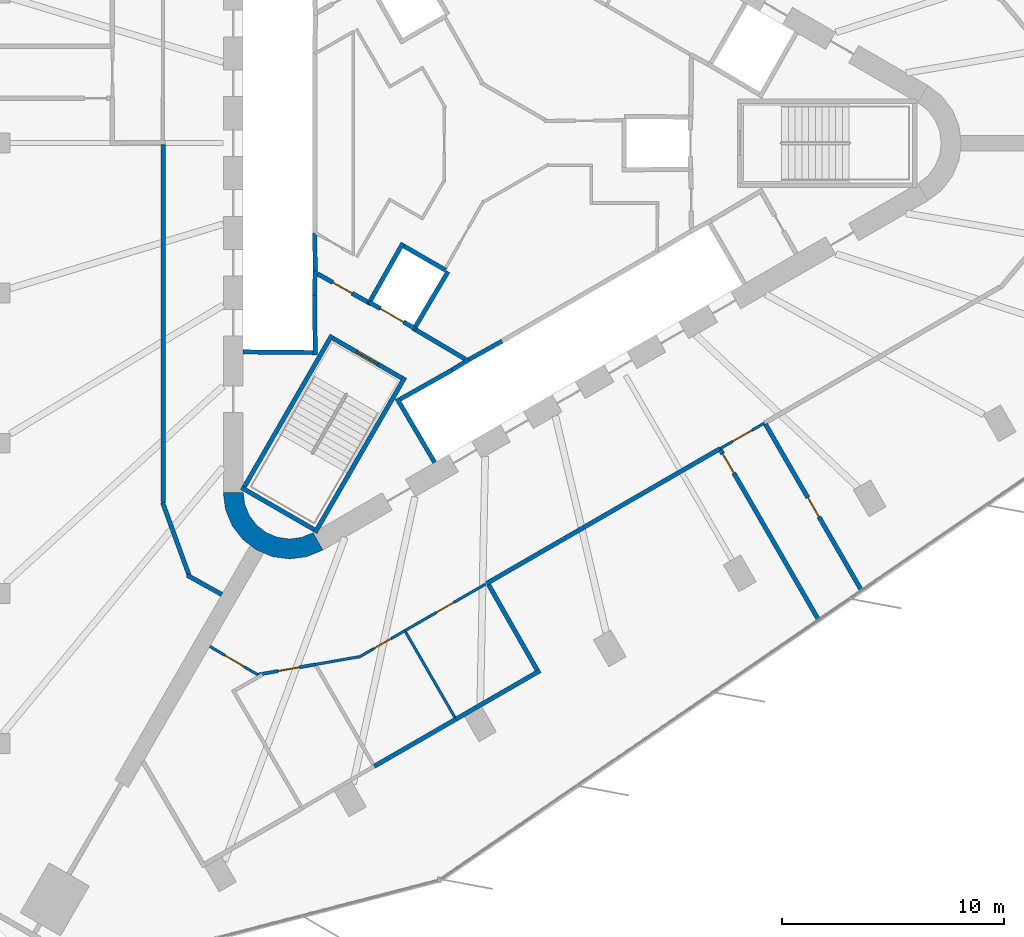
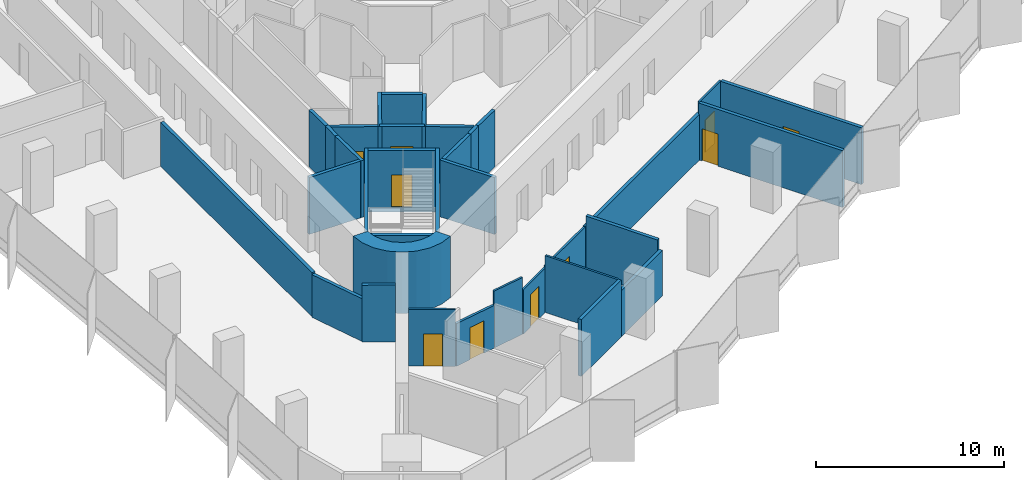
# One storey, part 8 of 13: 35 walls, 10 doors, 10 openings.
"""IFC4 building model written with IfcOpenShell, lengths in metres."""

from ifc_helpers import new_model, si_unit, direction, frame, frame_2d, origin, place, context, subcontext, project, spatial, polyline, rectangle, outline, extrude, material, layer, layer_set, type_object, element, fill, save


model = new_model("IFC4")

# Units and contexts
model_context = context("Model", 3, precision=1e-05, world=origin(), true_north=direction((0.0, 1.0)))
body_context = subcontext(model_context, "Body", "Model", "MODEL_VIEW")
ifc_project = project(units=[si_unit("LENGTHUNIT", "METRE"), si_unit("AREAUNIT", "SQUARE_METRE"), si_unit("VOLUMEUNIT", "CUBIC_METRE"), si_unit("PLANEANGLEUNIT", "RADIAN"), si_unit("MASSUNIT", "GRAM", prefix="KILO")], contexts=[model_context])

# Site, building, storey
site_placement = place(None, origin())
site = spatial("IfcSite", under=ifc_project, at=site_placement, CompositionType="ELEMENT")
building_placement = place(site_placement, origin())
building = spatial("IfcBuilding", under=site, at=building_placement, Name="Tanit Gate Tower", CompositionType="ELEMENT")
storey_placement = place(building_placement, frame((0.0, 0.0, 189.199951171875)))
storey = spatial("IfcBuildingStorey", under=building, at=storey_placement, Name="L41", CompositionType="ELEMENT", Elevation=189.199951171875)

# Walls
ifc_material_1 = material(Name="Concrete C50/60", Category="concrete")
ifc_layer_1 = layer(ifc_material_1, 0.89990234375)
ifc_layer_set_1 = layer_set([ifc_layer_1], Name="CORE WALL 900 C50/60")
wall_type_1 = type_object("IfcWallType", Name="CORE WALL 900 C50/60", PredefinedType="SHEAR", material=ifc_layer_set_1)
wall_1_placement = place(storey_placement, origin())
element("IfcWall", 1, at=wall_1_placement, inside=storey, type_object=wall_type_1, Name="CORE WALL CORNER", PredefinedType="SHEAR", context=body_context, shape_type="SweptSolid", body=[
    extrude(outline(polyline([(-12.10009765625, -15.76171875), (-11.997802734375, -16.5380859375), (-11.697998046875, -17.26171875), (-11.22119140625, -17.883056640625), (-10.60009765625, -18.359619140625), (-9.87646484375, -18.659423828125), (-9.10009765625, -18.76171875), (-8.323486328125, -18.659423828125), (-7.60009765625, -18.359619140625), (-8.050048828125, -17.580322265625), (-8.556396484375, -17.7900390625), (-9.10009765625, -17.86181640625), (-9.6435546875, -17.7900390625), (-10.14990234375, -17.580322265625), (-10.5849609375, -17.24658203125), (-10.918701171875, -16.811767578125), (-11.12841796875, -16.30517578125), (-11.199951171875, -15.76171875), (-12.10009765625, -15.76171875)])), origin(), (0.0, 0.0, 1.0), 4.0),
])
ifc_material_2 = material(Name="Fire-rated gypsum board partition")
ifc_layer_2 = layer(ifc_material_2, 0.199951171875)
ifc_layer_set_2 = layer_set([ifc_layer_2], Name="INT-WALL-COMPARTMENT")
wall_type_2 = type_object("IfcWallType", Name="INT-WALL-COMPARTMENT", PredefinedType="PARTITIONING", material=ifc_layer_set_2)
wall_2_placement = place(storey_placement, frame((-3.400634765625, -8.43017578125, 0.0), z_axis=(0.0, 0.0, 1.0), x_axis=(0.860615607571, -0.509255118781, 0.0)))
element("IfcWall", 2, at=wall_2_placement, inside=storey, type_object=wall_type_2, Name="Wall Compartment W063", PredefinedType="PARTITIONING", context=body_context, shape_type="SweptSolid", body=[
    extrude(rectangle(XDim=2.58056640625, YDim=0.199951171875, at=frame_2d((1.290283203125, 0.0))), origin(), (0.0, 0.0, 1.0), 3.699951171875),
])

# Wall, opening, door
wall_3_placement = place(storey_placement, frame((-7.849365234375, -5.893798828125, 0.0), z_axis=(0.0, 0.0, 1.0), x_axis=(0.871363259478, -0.490638431059, 0.0)))
wall_3 = element("IfcWall", 3, at=wall_3_placement, inside=storey, type_object=wall_type_2, Name="Wall Compartment W064", PredefinedType="PARTITIONING", context=body_context, shape_type="SweptSolid", body=[
    extrude(rectangle(XDim=2.5810546875, YDim=0.199951171875, at=frame_2d((1.29052734375, 0.0))), origin(), (0.0, 0.0, 1.0), 3.699951171875),
])
opening_1_placement = place(wall_3_placement, frame((0.79052734375, 0.0, 0.0)))
opening_1 = element("IfcOpeningElement", 4, at=opening_1_placement, cuts=wall_3, Name="Opening F10-S10-08", PredefinedType="OPENING", context=body_context, shape_type="SweptSolid", body=[
    extrude(rectangle(XDim=1.0, YDim=2.10009765625, at=frame_2d((0.5, 1.050048828125))), frame((0.0, 0.10986328125, 0.0), z_axis=(0.0, -1.0, 0.0), x_axis=(1.0, 0.0, 0.0)), (0.0, 0.0, 1.0), 0.219970703125),
])
ifc_material_3 = material(Name="Fire-rated steel door leaf", Category="steel")
door_type_1 = type_object("IfcDoorType", Name="INT-DOOR-FIRE-1000", OperationType="NOTDEFINED", PredefinedType="USERDEFINED", material=ifc_material_3)
door_1_placement = place(opening_1_placement, origin())
door_1 = element("IfcDoor", 5, at=door_1_placement, inside=storey, type_object=door_type_1, Name="Door F10-S10-08", ObjectType="FIRE DOOR", OperationType="SINGLE_SWING_RIGHT", OverallHeight=2.10009765625, OverallWidth=1.0, PredefinedType="USERDEFINED", context=body_context, shape_type="SweptSolid", body=[
    extrude(rectangle(XDim=1.0, YDim=2.10009765625, at=frame_2d((0.5, 1.050048828125))), frame((0.0, 0.02490234375, 0.0), z_axis=(0.0, -1.0, 0.0), x_axis=(1.0, 0.0, 0.0)), (0.0, 0.0, 1.0), 0.050048828125),
])
fill(opening_1, door_1)

# Walls
wall_4_placement = place(storey_placement, frame((-13.722412109375, -19.499267578125, 0.0), z_axis=(0.0, 0.0, 1.0), x_axis=(0.873381780332, -0.487036205824, 0.0)))
element("IfcWall", 6, at=wall_4_placement, inside=storey, type_object=wall_type_2, Name="Wall Compartment W093", PredefinedType="PARTITIONING", context=body_context, shape_type="SweptSolid", body=[
    extrude(rectangle(XDim=1.78466796875, YDim=0.199951171875, at=frame_2d((0.892333984375, 0.0))), origin(), (0.0, 0.0, 1.0), 3.699951171875),
])
wall_5_placement = place(storey_placement, frame((-14.834228515625, -16.22314453125, 0.0), z_axis=(0.0, 0.0, 1.0), x_axis=(0.342017717312, -0.939693503779, 0.0)))
element("IfcWall", 7, at=wall_5_placement, inside=storey, type_object=wall_type_2, Name="Wall Compartment W094", PredefinedType="PARTITIONING", context=body_context, shape_type="SweptSolid", body=[
    extrude(rectangle(XDim=3.4970703125, YDim=0.199951171875, at=frame_2d((1.74853515625, 0.0))), origin(), (0.0, 0.0, 1.0), 2.780029296875),
])
wall_6_placement = place(storey_placement, frame((-14.800048828125, -0.070068359375, 0.0), z_axis=(0.0, 0.0, 1.0), x_axis=(0.0, -1.0, 0.0)))
element("IfcWall", 8, at=wall_6_placement, inside=storey, type_object=wall_type_2, Name="Wall Compartment W095", PredefinedType="PARTITIONING", context=body_context, shape_type="SweptSolid", body=[
    extrude(rectangle(XDim=16.14697265625, YDim=0.199951171875, at=frame_2d((8.073486328125, 0.0))), origin(), (0.0, 0.0, 1.0), 2.880126953125),
])
wall_7_placement = place(storey_placement, frame((-0.222900390625, -19.8740234375, 0.0), z_axis=(0.0, 0.0, 1.0), x_axis=(0.866025366729, 0.500000064182, 0.0)))
element("IfcWall", 9, at=wall_7_placement, inside=storey, type_object=wall_type_2, Name="Wall Compartment W104", PredefinedType="PARTITIONING", context=body_context, shape_type="SweptSolid", body=[
    extrude(rectangle(XDim=12.18017578125, YDim=0.199951171875, at=frame_2d((6.090087890625, 0.0))), origin(), (0.0, 0.0, 1.0), 2.97998046875),
])

# Wall, opening, door
wall_8_placement = place(storey_placement, frame((10.338134765625, -13.845947265625, 0.0), z_axis=(0.0, 0.0, 1.0), x_axis=(0.499984974409, -0.86603407864, 0.0)))
wall_8 = element("IfcWall", 10, at=wall_8_placement, inside=storey, type_object=wall_type_2, Name="Wall Compartment W123", PredefinedType="PARTITIONING", context=body_context, shape_type="SweptSolid", body=[
    extrude(rectangle(XDim=8.855224609375, YDim=0.199951171875, at=frame_2d((4.427734375, 0.0))), origin(), (0.0, 0.0, 1.0), 3.699951171875),
])
opening_2_placement = place(wall_8_placement, frame((0.199951171875, 0.0, 0.0)))
opening_2 = element("IfcOpeningElement", 11, at=opening_2_placement, cuts=wall_8, Name="Opening F10-S10-29", PredefinedType="OPENING", context=body_context, shape_type="SweptSolid", body=[
    extrude(rectangle(XDim=1.0, YDim=2.10009765625, at=frame_2d((0.5, 1.050048828125))), frame((0.0, 0.10986328125, 0.0), z_axis=(0.0, -1.0, 0.0), x_axis=(1.0, 0.0, 0.0)), (0.0, 0.0, 1.0), 0.219970703125),
])
door_2_placement = place(opening_2_placement, origin())
door_2 = element("IfcDoor", 12, at=door_2_placement, inside=storey, type_object=door_type_1, Name="Door F10-S10-29", ObjectType="FIRE DOOR", OperationType="SINGLE_SWING_RIGHT", OverallHeight=2.10009765625, OverallWidth=1.0, PredefinedType="USERDEFINED", context=body_context, shape_type="SweptSolid", body=[
    extrude(rectangle(XDim=1.0, YDim=2.10009765625, at=frame_2d((0.5, 1.050048828125))), frame((0.0, 0.02490234375, 0.0), z_axis=(0.0, -1.0, 0.0), x_axis=(1.0, 0.0, 0.0)), (0.0, 0.0, 1.0), 0.050048828125),
])
fill(opening_2, door_2)

wall_9_placement = place(storey_placement, frame((16.700927734375, -20.186767578125, 0.0), z_axis=(0.0, 0.0, 1.0), x_axis=(-0.500008367389, 0.866020572816, 0.0)))
wall_9 = element("IfcWall", 13, at=wall_9_placement, inside=storey, type_object=wall_type_2, Name="Wall Compartment W124", PredefinedType="PARTITIONING", context=body_context, shape_type="SweptSolid", body=[
    extrude(rectangle(XDim=8.672607421875, YDim=0.199951171875, at=frame_2d((4.33642578125, 0.0))), origin(), (0.0, 0.0, 1.0), 3.699951171875),
])
opening_3_placement = place(wall_9_placement, frame((3.83642578125, 0.0, 0.0)))
opening_3 = element("IfcOpeningElement", 14, at=opening_3_placement, cuts=wall_9, Name="Opening F10-S10-30", PredefinedType="OPENING", context=body_context, shape_type="SweptSolid", body=[
    extrude(rectangle(XDim=1.0, YDim=2.10009765625, at=frame_2d((0.5, 1.050048828125))), frame((0.0, 0.10986328125, 0.0), z_axis=(0.0, -1.0, 0.0), x_axis=(1.0, 0.0, 0.0)), (0.0, 0.0, 1.0), 0.219970703125),
])
door_3_placement = place(opening_3_placement, origin())
door_3 = element("IfcDoor", 15, at=door_3_placement, inside=storey, type_object=door_type_1, Name="Door F10-S10-30", ObjectType="FIRE DOOR", OperationType="SINGLE_SWING_RIGHT", OverallHeight=2.10009765625, OverallWidth=1.0, PredefinedType="USERDEFINED", context=body_context, shape_type="SweptSolid", body=[
    extrude(rectangle(XDim=1.0, YDim=2.10009765625, at=frame_2d((0.5, 1.050048828125))), frame((0.0, 0.02490234375, 0.0), z_axis=(0.0, -1.0, 0.0), x_axis=(1.0, 0.0, 0.0)), (0.0, 0.0, 1.0), 0.050048828125),
])
fill(opening_3, door_3)

# Walls
wall_10_placement = place(storey_placement, frame((2.19482421875, -23.801513671875, 0.0), z_axis=(0.0, 0.0, 1.0), x_axis=(-0.866030693553, -0.49999083774, 0.0)))
element("IfcWall", 16, at=wall_10_placement, inside=storey, type_object=wall_type_2, Name="Wall Compartment W125", PredefinedType="PARTITIONING", context=body_context, shape_type="SweptSolid", body=[
    extrude(rectangle(XDim=4.38330078125, YDim=0.199951171875, at=frame_2d((2.191650390625, 0.0))), origin(), (0.0, 0.0, 1.0), 2.97998046875),
])
wall_11_placement = place(storey_placement, frame((-1.601318359375, -25.9931640625, 0.0), z_axis=(0.0, 0.0, 1.0), x_axis=(-0.86603819212, -0.4999778493, 0.0)))
element("IfcWall", 17, at=wall_11_placement, inside=storey, type_object=wall_type_2, Name="Wall Compartment W127", PredefinedType="PARTITIONING", context=body_context, shape_type="SweptSolid", body=[
    extrude(rectangle(XDim=4.247802734375, YDim=0.199951171875, at=frame_2d((2.1240234375, 0.0))), origin(), (0.0, 0.0, 1.0), 3.699951171875),
])
wall_12_placement = place(storey_placement, frame((-0.121337890625, -19.930908203125, 0.0), z_axis=(0.0, 0.0, 1.0), x_axis=(0.494319450353, -0.869280323602, 0.0)))
element("IfcWall", 18, at=wall_12_placement, inside=storey, type_object=wall_type_2, Name="Wall Compartment W126", PredefinedType="PARTITIONING", context=body_context, shape_type="SweptSolid", body=[
    extrude(rectangle(XDim=4.409912109375, YDim=0.199951171875, at=frame_2d((2.205078125, 0.0))), origin(), (0.0, 0.0, 1.0), 3.699951171875),
])

# Wall, opening, door
ifc_material_4 = material(Name="Gypsum board partition")
ifc_layer_3 = layer(ifc_material_4, 0.1201171875)
ifc_layer_set_3 = layer_set([ifc_layer_3], Name="INT-WALL-PARTITION")
wall_type_3 = type_object("IfcWallType", Name="INT-WALL-PARTITION", PredefinedType="PARTITIONING", material=ifc_layer_set_3)
wall_13_placement = place(storey_placement, frame((12.317138671875, -12.634033203125, 0.0), z_axis=(0.0, 0.0, 1.0), x_axis=(-0.86602648383, -0.499998129301, 0.0)))
wall_13 = element("IfcWall", 19, at=wall_13_placement, inside=storey, type_object=wall_type_3, Name="Wall Partition W103", PredefinedType="PARTITIONING", context=body_context, shape_type="SweptSolid", body=[
    extrude(rectangle(XDim=2.2998046875, YDim=0.1201171875, at=frame_2d((1.14990234375, 0.0))), origin(), (0.0, 0.0, 1.0), 3.699951171875),
])
opening_4_placement = place(wall_13_placement, frame((0.64990234375, 0.0, 0.0)))
opening_4 = element("IfcOpeningElement", 20, at=opening_4_placement, cuts=wall_13, Name="Opening D10-S10-20", PredefinedType="OPENING", context=body_context, shape_type="SweptSolid", body=[
    extrude(rectangle(XDim=1.0, YDim=2.10009765625, at=frame_2d((0.5, 1.050048828125))), frame((0.0, 0.070068359375, 0.0), z_axis=(0.0, -1.0, 0.0), x_axis=(1.0, 0.0, 0.0)), (0.0, 0.0, 1.0), 0.14013671875),
])
ifc_material_5 = material(Name="Timber door leaf", Category="wood")
door_type_2 = type_object("IfcDoorType", Name="INT-DOOR-SINGLE-1000", OperationType="NOTDEFINED", PredefinedType="NOTDEFINED", material=ifc_material_5)
door_4_placement = place(opening_4_placement, origin())
door_4 = element("IfcDoor", 21, at=door_4_placement, inside=storey, type_object=door_type_2, Name="Door D10-S10-20", OperationType="SINGLE_SWING_RIGHT", OverallHeight=2.10009765625, OverallWidth=1.0, PredefinedType="NOTDEFINED", context=body_context, shape_type="SweptSolid", body=[
    extrude(rectangle(XDim=1.0, YDim=2.10009765625, at=frame_2d((0.5, 1.050048828125))), frame((0.0, 0.02490234375, 0.0), z_axis=(0.0, -1.0, 0.0), x_axis=(1.0, 0.0, 0.0)), (0.0, 0.0, 1.0), 0.050048828125),
])
fill(opening_4, door_4)

wall_14_placement = place(storey_placement, frame((-5.984130859375, -23.200439453125, 0.0), z_axis=(0.0, 0.0, 1.0), x_axis=(0.866017831539, 0.500013115284, 0.0)))
wall_14 = element("IfcWall", 22, at=wall_14_placement, inside=storey, type_object=wall_type_3, Name="Wall Partition W109", PredefinedType="PARTITIONING", context=body_context, shape_type="SweptSolid", body=[
    extrude(rectangle(XDim=2.3994140625, YDim=0.1201171875, at=frame_2d((1.19970703125, 0.0))), origin(), (0.0, 0.0, 1.0), 2.880126953125),
])
opening_5_placement = place(wall_14_placement, frame((0.77978515625, 0.0, 0.0)))
opening_5 = element("IfcOpeningElement", 23, at=opening_5_placement, cuts=wall_14, Name="Opening D09-S10-22", PredefinedType="OPENING", context=body_context, shape_type="SweptSolid", body=[
    extrude(rectangle(XDim=0.89990234375, YDim=2.10009765625, at=frame_2d((0.449951171875, 1.050048828125))), frame((0.0, 0.070068359375, 0.0), z_axis=(0.0, -1.0, 0.0), x_axis=(1.0, 0.0, 0.0)), (0.0, 0.0, 1.0), 0.14013671875),
])
ifc_material_6 = material(Name="Timber door leaf", Category="wood")
door_type_3 = type_object("IfcDoorType", Name="INT-DOOR-SINGLE-900", OperationType="NOTDEFINED", PredefinedType="NOTDEFINED", material=ifc_material_6)
door_5_placement = place(opening_5_placement, origin())
door_5 = element("IfcDoor", 24, at=door_5_placement, inside=storey, type_object=door_type_3, Name="Door D09-S10-22", OperationType="SINGLE_SWING_RIGHT", OverallHeight=2.10009765625, OverallWidth=0.89990234375, PredefinedType="NOTDEFINED", context=body_context, shape_type="SweptSolid", body=[
    extrude(rectangle(XDim=0.89990234375, YDim=2.10009765625, at=frame_2d((0.449951171875, 1.050048828125))), frame((0.0, 0.02490234375, 0.0), z_axis=(0.0, -1.0, 0.0), x_axis=(1.0, 0.0, 0.0)), (0.0, 0.0, 1.0), 0.050048828125),
])
fill(opening_5, door_5)

wall_15_placement = place(storey_placement, frame((-3.90625, -22.000732421875, 0.0), z_axis=(0.0, 0.0, 1.0), x_axis=(0.866012851997, 0.500021739704, 0.0)))
wall_15 = element("IfcWall", 25, at=wall_15_placement, inside=storey, type_object=wall_type_3, Name="Wall Partition W108", PredefinedType="PARTITIONING", context=body_context, shape_type="SweptSolid", body=[
    extrude(rectangle(XDim=4.213134765625, YDim=0.1201171875, at=frame_2d((2.1064453125, 0.0))), origin(), (0.0, 0.0, 1.0), 2.97998046875),
])
opening_6_placement = place(wall_15_placement, frame((1.656494140625, 0.0, 0.0)))
opening_6 = element("IfcOpeningElement", 26, at=opening_6_placement, cuts=wall_15, Name="Opening D09-S10-21", PredefinedType="OPENING", context=body_context, shape_type="SweptSolid", body=[
    extrude(rectangle(XDim=0.89990234375, YDim=2.10009765625, at=frame_2d((0.449951171875, 1.050048828125))), frame((0.0, 0.070068359375, 0.0), z_axis=(0.0, -1.0, 0.0), x_axis=(1.0, 0.0, 0.0)), (0.0, 0.0, 1.0), 0.14013671875),
])
door_6_placement = place(opening_6_placement, origin())
door_6 = element("IfcDoor", 27, at=door_6_placement, inside=storey, type_object=door_type_3, Name="Door D09-S10-21", OperationType="SINGLE_SWING_RIGHT", OverallHeight=2.10009765625, OverallWidth=0.89990234375, PredefinedType="NOTDEFINED", context=body_context, shape_type="SweptSolid", body=[
    extrude(rectangle(XDim=0.89990234375, YDim=2.10009765625, at=frame_2d((0.449951171875, 1.050048828125))), frame((0.0, 0.02490234375, 0.0), z_axis=(0.0, -1.0, 0.0), x_axis=(1.0, 0.0, 0.0)), (0.0, 0.0, 1.0), 0.050048828125),
])
fill(opening_6, door_6)

# Wall
wall_16_placement = place(storey_placement, frame((-7.94482421875, -23.525146484375, 0.0), z_axis=(0.0, 0.0, 1.0), x_axis=(0.984807090041, 0.173651937522, 0.0)))
element("IfcWall", 28, at=wall_16_placement, inside=storey, type_object=wall_type_3, Name="Wall Partition W110", PredefinedType="PARTITIONING", context=body_context, shape_type="SweptSolid", body=[
    extrude(rectangle(XDim=1.983642578125, YDim=0.1201171875, at=frame_2d((0.99169921875, 0.0))), origin(), (0.0, 0.0, 1.0), 3.699951171875),
])

# Wall, opening, door
wall_17_placement = place(storey_placement, frame((-12.706787109375, -22.708984375, 0.0), z_axis=(0.0, 0.0, 1.0), x_axis=(0.860742216303, -0.509041095663, 0.0)))
wall_17 = element("IfcWall", 29, at=wall_17_placement, inside=storey, type_object=wall_type_3, Name="Wall Partition W112", PredefinedType="PARTITIONING", context=body_context, shape_type="SweptSolid", body=[
    extrude(rectangle(XDim=2.505859375, YDim=0.1201171875, at=frame_2d((1.2529296875, 0.0))), origin(), (0.0, 0.0, 1.0), 3.699951171875),
])
opening_7_placement = place(wall_17_placement, frame((0.802978515625, 0.0, 0.0)))
opening_7 = element("IfcOpeningElement", 30, at=opening_7_placement, cuts=wall_17, Name="Opening D10-S10-24", PredefinedType="OPENING", context=body_context, shape_type="SweptSolid", body=[
    extrude(rectangle(XDim=1.0, YDim=2.10009765625, at=frame_2d((0.5, 1.050048828125))), frame((0.0, 0.070068359375, 0.0), z_axis=(0.0, -1.0, 0.0), x_axis=(1.0, 0.0, 0.0)), (0.0, 0.0, 1.0), 0.14013671875),
])
door_7_placement = place(opening_7_placement, origin())
door_7 = element("IfcDoor", 31, at=door_7_placement, inside=storey, type_object=door_type_2, Name="Door D10-S10-24", OperationType="SINGLE_SWING_RIGHT", OverallHeight=2.10009765625, OverallWidth=1.0, PredefinedType="NOTDEFINED", context=body_context, shape_type="SweptSolid", body=[
    extrude(rectangle(XDim=1.0, YDim=2.10009765625, at=frame_2d((0.5, 1.050048828125))), frame((0.0, 0.02490234375, 0.0), z_axis=(0.0, -1.0, 0.0), x_axis=(1.0, 0.0, 0.0)), (0.0, 0.0, 1.0), 0.050048828125),
])
fill(opening_7, door_7)

# Wall
wall_18_placement = place(storey_placement, frame((-1.6513671875, -25.906494140625, 0.0), z_axis=(0.0, 0.0, 1.0), x_axis=(-0.499980495566, 0.866036664382, 0.0)))
element("IfcWall", 32, at=wall_18_placement, inside=storey, type_object=wall_type_3, Name="Wall Partition W131", PredefinedType="PARTITIONING", context=body_context, shape_type="SweptSolid", body=[
    extrude(rectangle(XDim=4.449951171875, YDim=0.1201171875, at=frame_2d((2.22509765625, 0.0))), origin(), (0.0, 0.0, 1.0), 3.699951171875),
])

# Wall, opening, door
ifc_material_7 = material(Name="Fire-rated gypsum board partition")
ifc_layer_4 = layer(ifc_material_7, 0.14990234375)
ifc_layer_set_4 = layer_set([ifc_layer_4], Name="INT-WALL-RISER")
wall_type_4 = type_object("IfcWallType", Name="INT-WALL-RISER", PredefinedType="PLUMBINGWALL", material=ifc_layer_set_4)
wall_19_placement = place(storey_placement, frame((-10.5498046875, -23.984619140625, 0.0), z_axis=(0.0, 0.0, 1.0), x_axis=(0.984798421686, 0.173701089936, 0.0)))
wall_19 = element("IfcWall", 33, at=wall_19_placement, inside=storey, type_object=wall_type_4, Name="Wall Riser W111", PredefinedType="PLUMBINGWALL", context=body_context, shape_type="SweptSolid", body=[
    extrude(rectangle(XDim=2.645263671875, YDim=0.14990234375, at=frame_2d((1.32275390625, 0.0))), origin(), (0.0, 0.0, 1.0), 2.780029296875),
])
opening_8_placement = place(wall_19_placement, frame((0.930419921875, 0.0, 0.0)))
opening_8 = element("IfcOpeningElement", 34, at=opening_8_placement, cuts=wall_19, Name="Opening F10-S10-23", PredefinedType="OPENING", context=body_context, shape_type="SweptSolid", body=[
    extrude(rectangle(XDim=1.0, YDim=2.10009765625, at=frame_2d((0.5, 1.050048828125))), frame((0.0, 0.0849609375, 0.0), z_axis=(0.0, -1.0, 0.0), x_axis=(1.0, 0.0, 0.0)), (0.0, 0.0, 1.0), 0.169921875),
])
door_8_placement = place(opening_8_placement, origin())
door_8 = element("IfcDoor", 35, at=door_8_placement, inside=storey, type_object=door_type_1, Name="Door F10-S10-23", ObjectType="FIRE DOOR", OperationType="SINGLE_SWING_RIGHT", OverallHeight=2.10009765625, OverallWidth=1.0, PredefinedType="USERDEFINED", context=body_context, shape_type="SweptSolid", body=[
    extrude(rectangle(XDim=1.0, YDim=2.10009765625, at=frame_2d((0.5, 1.050048828125))), frame((0.0, 0.02490234375, 0.0), z_axis=(0.0, -1.0, 0.0), x_axis=(1.0, 0.0, 0.0)), (0.0, 0.0, 1.0), 0.050048828125),
])
fill(opening_8, door_8)

# Walls
ifc_material_8 = material(Name="Gypsum shaft wall system")
ifc_layer_5 = layer(ifc_material_8, 0.199951171875)
ifc_layer_set_5 = layer_set([ifc_layer_5], Name="INT-WALL-SHAFT")
wall_type_5 = type_object("IfcWallType", Name="INT-WALL-SHAFT", PredefinedType="PLUMBINGWALL", material=ifc_layer_set_5)
wall_20_placement = place(storey_placement, frame((-7.949951171875, -5.7724609375, 0.0), z_axis=(0.0, 0.0, 1.0), x_axis=(-0.030803413295, -0.999525462272, 0.0)))
element("IfcWall", 36, at=wall_20_placement, inside=storey, type_object=wall_type_5, Name="Wall Shaft W008", PredefinedType="PLUMBINGWALL", context=body_context, shape_type="SweptSolid", body=[
    extrude(rectangle(XDim=1.077880859375, YDim=0.199951171875, at=frame_2d((0.5390625, 0.0))), origin(), (0.0, 0.0, 1.0), 3.699951171875),
])
wall_21_placement = place(storey_placement, frame((-7.971435546875, -4.050048828125, 0.0), z_axis=(0.0, 0.0, 1.0), x_axis=(0.012042535896, -0.999927486035, 0.0)))
element("IfcWall", 37, at=wall_21_placement, inside=storey, type_object=wall_type_5, Name="Wall Shaft W009", PredefinedType="PLUMBINGWALL", context=body_context, shape_type="SweptSolid", body=[
    extrude(rectangle(XDim=1.844970703125, YDim=0.199951171875, at=frame_2d((0.92236328125, 0.0))), origin(), (0.0, 0.0, 1.0), 3.699951171875),
])
wall_22_placement = place(storey_placement, frame((-7.97900390625, -6.85009765625, 0.0), z_axis=(0.0, 0.0, 1.0), x_axis=(0.011121475088, -0.999938154483, 0.0)))
element("IfcWall", 38, at=wall_22_placement, inside=storey, type_object=wall_type_5, Name="Wall Shaft W010", PredefinedType="PLUMBINGWALL", context=body_context, shape_type="SweptSolid", body=[
    extrude(rectangle(XDim=2.7001953125, YDim=0.199951171875, at=frame_2d((1.35009765625, 0.0))), origin(), (0.0, 0.0, 1.0), 3.699951171875),
])
wall_23_placement = place(storey_placement, frame((-8.050048828125, -9.448974609375, 0.0), z_axis=(0.0, 0.0, 1.0), x_axis=(-0.999957467379, 0.009222983926, 0.0)))
element("IfcWall", 39, at=wall_23_placement, inside=storey, type_object=wall_type_5, Name="Wall Shaft W011", PredefinedType="PLUMBINGWALL", context=body_context, shape_type="SweptSolid", body=[
    extrude(rectangle(XDim=3.150146484375, YDim=0.199951171875, at=frame_2d((1.5751953125, 0.0))), origin(), (0.0, 0.0, 1.0), 3.699951171875),
])
wall_24_placement = place(storey_placement, frame((-2.557861328125, -14.409423828125, 0.0), z_axis=(0.0, 0.0, 1.0), x_axis=(-0.507997497166, 0.861358544901, 0.0)))
element("IfcWall", 40, at=wall_24_placement, inside=storey, type_object=wall_type_5, Name="Wall Shaft W019", PredefinedType="PLUMBINGWALL", context=body_context, shape_type="SweptSolid", body=[
    extrude(rectangle(XDim=3.350341796875, YDim=0.199951171875, at=frame_2d((1.67529296875, 0.0))), origin(), (0.0, 0.0, 1.0), 3.699951171875),
])
wall_25_placement = place(storey_placement, frame((-1.7685546875, -10.23681640625, 0.0), z_axis=(0.0, 0.0, 1.0), x_axis=(-0.871534483978, -0.490334215854, 0.0)))
element("IfcWall", 41, at=wall_25_placement, inside=storey, type_object=wall_type_5, Name="Wall Shaft W020", PredefinedType="PLUMBINGWALL", context=body_context, shape_type="SweptSolid", body=[
    extrude(rectangle(XDim=2.7001953125, YDim=0.199951171875, at=frame_2d((1.35009765625, 0.0))), origin(), (0.0, 0.0, 1.0), 3.699951171875),
])
wall_26_placement = place(storey_placement, frame((-1.02392578125, -9.77099609375, 0.0), z_axis=(0.0, 0.0, 1.0), x_axis=(-0.850348075135, -0.526220629693, 0.0)))
element("IfcWall", 42, at=wall_26_placement, inside=storey, type_object=wall_type_5, Name="Wall Shaft W021", PredefinedType="PLUMBINGWALL", context=body_context, shape_type="SweptSolid", body=[
    extrude(rectangle(XDim=0.878173828125, YDim=0.199951171875, at=frame_2d((0.43896484375, 0.0))), origin(), (0.0, 0.0, 1.0), 3.699951171875),
])
wall_27_placement = place(storey_placement, frame((-1.130126953125, -9.831298828125, 0.0), z_axis=(0.0, 0.0, 1.0), x_axis=(0.874269620932, 0.485440655401, 0.0)))
element("IfcWall", 43, at=wall_27_placement, inside=storey, type_object=wall_type_5, Name="Wall Shaft W022", PredefinedType="PLUMBINGWALL", context=body_context, shape_type="SweptSolid", body=[
    extrude(rectangle(XDim=1.8447265625, YDim=0.199951171875, at=frame_2d((0.92236328125, 0.0))), origin(), (0.0, 0.0, 1.0), 3.699951171875),
])

# Wall, opening, door
wall_28_placement = place(storey_placement, frame((-3.44580078125, -8.3681640625, 0.0), z_axis=(0.0, 0.0, 1.0), x_axis=(-0.866024647952, 0.500001309137, 0.0)))
wall_28 = element("IfcWall", 44, at=wall_28_placement, inside=storey, type_object=wall_type_5, Name="Wall Shaft W045", PredefinedType="PLUMBINGWALL", context=body_context, shape_type="SweptSolid", body=[
    extrude(rectangle(XDim=2.39990234375, YDim=0.199951171875, at=frame_2d((1.199951171875, 0.0))), origin(), (0.0, 0.0, 1.0), 3.699951171875),
])
opening_9_placement = place(wall_28_placement, frame((0.60009765625, 0.0, 0.0)))
opening_9 = element("IfcOpeningElement", 45, at=opening_9_placement, cuts=wall_28, Name="Opening LDFL3-L41", PredefinedType="OPENING", context=body_context, shape_type="SweptSolid", body=[
    extrude(rectangle(XDim=1.199951171875, YDim=2.39990234375, at=frame_2d((0.60009765625, 1.199951171875))), frame((0.0, 0.10986328125, 0.0), z_axis=(0.0, -1.0, 0.0), x_axis=(1.0, 0.0, 0.0)), (0.0, 0.0, 1.0), 0.219970703125),
])
ifc_material_9 = material(Name="Stainless steel sliding door leaf", Category="steel")
door_type_4 = type_object("IfcDoorType", Name="INT-DOOR-LANDING-1200", OperationType="NOTDEFINED", PredefinedType="USERDEFINED", material=ifc_material_9)
door_9_placement = place(opening_9_placement, origin())
door_9 = element("IfcDoor", 46, at=door_9_placement, inside=storey, type_object=door_type_4, Name="Door LDFL3-L41", ObjectType="LANDING DOOR", OperationType="SLIDING_TO_LEFT", OverallHeight=2.39990234375, OverallWidth=1.199951171875, PredefinedType="USERDEFINED", context=body_context, shape_type="SweptSolid", body=[
    extrude(rectangle(XDim=1.199951171875, YDim=2.39990234375, at=frame_2d((0.60009765625, 1.199951171875))), frame((0.0, 0.02490234375, 0.0), z_axis=(0.0, -1.0, 0.0), x_axis=(1.0, 0.0, 0.0)), (0.0, 0.0, 1.0), 0.050048828125),
])
fill(opening_9, door_9)

# Walls
wall_29_placement = place(storey_placement, frame((-1.960693359375, -5.796142578125, 0.0), z_axis=(0.0, 0.0, 1.0), x_axis=(-0.508647062354, -0.860975125052, 0.0)))
element("IfcWall", 47, at=wall_29_placement, inside=storey, type_object=wall_type_5, Name="Wall Shaft W046", PredefinedType="PLUMBINGWALL", context=body_context, shape_type="SweptSolid", body=[
    extrude(rectangle(XDim=3.10009765625, YDim=0.199951171875, at=frame_2d((1.550048828125, 0.0))), origin(), (0.0, 0.0, 1.0), 3.699951171875),
])
wall_30_placement = place(storey_placement, frame((-3.989990234375, -4.509033203125, 0.0), z_axis=(0.0, 0.0, 1.0), x_axis=(-0.491358283181, -0.870957540612, 0.0)))
element("IfcWall", 48, at=wall_30_placement, inside=storey, type_object=wall_type_5, Name="Wall Shaft W047", PredefinedType="PLUMBINGWALL", context=body_context, shape_type="SweptSolid", body=[
    extrude(rectangle(XDim=3.200439453125, YDim=0.199951171875, at=frame_2d((1.60009765625, 0.0))), origin(), (0.0, 0.0, 1.0), 3.699951171875),
])
wall_31_placement = place(storey_placement, frame((-3.95263671875, -4.646240234375, 0.0), z_axis=(0.0, 0.0, 1.0), x_axis=(0.866038900241, -0.499976622722, 0.0)))
element("IfcWall", 49, at=wall_31_placement, inside=storey, type_object=wall_type_5, Name="Wall Shaft W048", PredefinedType="PLUMBINGWALL", context=body_context, shape_type="SweptSolid", body=[
    extrude(rectangle(XDim=2.189453125, YDim=0.199951171875, at=frame_2d((1.0947265625, 0.0))), origin(), (0.0, 0.0, 1.0), 3.699951171875),
])
ifc_material_10 = material(Name="Concrete C40/50", Category="concrete")
ifc_layer_6 = layer(ifc_material_10, 0.199951171875)
ifc_layer_set_6 = layer_set([ifc_layer_6], Name="INT-WALL-STAIR")
wall_type_6 = type_object("IfcWallType", Name="INT-WALL-STAIR", PredefinedType="SHEAR", material=ifc_layer_set_6)
wall_32_placement = place(storey_placement, frame((-3.904541015625, -10.56298828125, -0.300048828125), z_axis=(0.0, 0.0, 1.0), x_axis=(-0.500012932018, -0.866017937352, 0.0)))
element("IfcWall", 50, at=wall_32_placement, inside=storey, type_object=wall_type_6, Name="Wall Stair W041", PredefinedType="SHEAR", context=body_context, shape_type="SweptSolid", body=[
    extrude(rectangle(XDim=8.099853515625, YDim=0.199951171875, at=frame_2d((4.0498046875, 0.0))), origin(), (0.0, 0.0, 1.0), 4.0),
])
wall_33_placement = place(storey_placement, frame((-11.281982421875, -15.541015625, -0.300048828125), z_axis=(0.0, 0.0, 1.0), x_axis=(0.866000483506, -0.500043160704, 0.0)))
element("IfcWall", 51, at=wall_33_placement, inside=storey, type_object=wall_type_6, Name="Wall Stair W042", PredefinedType="SHEAR", context=body_context, shape_type="SweptSolid", body=[
    extrude(rectangle(XDim=3.800048828125, YDim=0.199951171875, at=frame_2d((1.89990234375, 0.0))), origin(), (0.0, 0.0, 1.0), 4.0),
])
wall_34_placement = place(storey_placement, frame((-7.195556640625, -8.662841796875, -0.300048828125), z_axis=(0.0, 0.0, 1.0), x_axis=(-0.499997992926, -0.866026562566, 0.0)))
element("IfcWall", 52, at=wall_34_placement, inside=storey, type_object=wall_type_6, Name="Wall Stair W043", PredefinedType="SHEAR", context=body_context, shape_type="SweptSolid", body=[
    extrude(rectangle(XDim=7.89990234375, YDim=0.199951171875, at=frame_2d((3.949951171875, 0.0))), origin(), (0.0, 0.0, 1.0), 4.0),
])

# Wall, opening, door
wall_35_placement = place(storey_placement, frame((-4.041259765625, -10.599365234375, -0.300048828125), z_axis=(0.0, 0.0, 1.0), x_axis=(-0.866047807691, 0.499961193289, 0.0)))
wall_35 = element("IfcWall", 53, at=wall_35_placement, inside=storey, type_object=wall_type_6, Name="Wall Stair W044", PredefinedType="SHEAR", context=body_context, shape_type="SweptSolid", body=[
    extrude(rectangle(XDim=3.599853515625, YDim=0.199951171875, at=frame_2d((1.7998046875, 0.0))), origin(), (0.0, 0.0, 1.0), 4.0),
])
opening_10_placement = place(wall_35_placement, frame((1.25, 0.0, 0.300048828125)))
opening_10 = element("IfcOpeningElement", 54, at=opening_10_placement, cuts=wall_35, Name="Opening S11-S10-07", PredefinedType="OPENING", context=body_context, shape_type="SweptSolid", body=[
    extrude(rectangle(XDim=1.10009765625, YDim=2.10009765625, at=frame_2d((0.550048828125, 1.050048828125))), frame((0.0, 0.10986328125, 0.0), z_axis=(0.0, -1.0, 0.0), x_axis=(1.0, 0.0, 0.0)), (0.0, 0.0, 1.0), 0.219970703125),
])
ifc_material_11 = material(Name="Timber door leaf", Category="wood")
door_type_5 = type_object("IfcDoorType", Name="INT-DOOR-STAIR-1100", OperationType="NOTDEFINED", PredefinedType="USERDEFINED", material=ifc_material_11)
door_10_placement = place(opening_10_placement, origin())
door_10 = element("IfcDoor", 55, at=door_10_placement, inside=storey, type_object=door_type_5, Name="Door S11-S10-07", ObjectType="FIRE DOOR", OperationType="SINGLE_SWING_LEFT", OverallHeight=2.10009765625, OverallWidth=1.10009765625, PredefinedType="USERDEFINED", context=body_context, shape_type="SweptSolid", body=[
    extrude(rectangle(XDim=1.10009765625, YDim=2.10009765625, at=frame_2d((0.550048828125, 1.050048828125))), frame((0.0, 0.02490234375, 0.0), z_axis=(0.0, -1.0, 0.0), x_axis=(1.0, 0.0, 0.0)), (0.0, 0.0, 1.0), 0.050048828125),
])
fill(opening_10, door_10)

save(model, "model.ifc")
